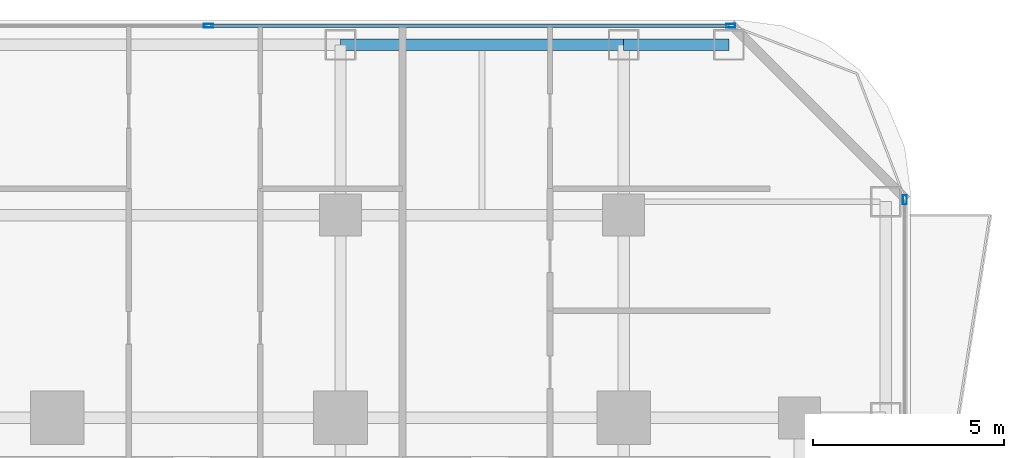
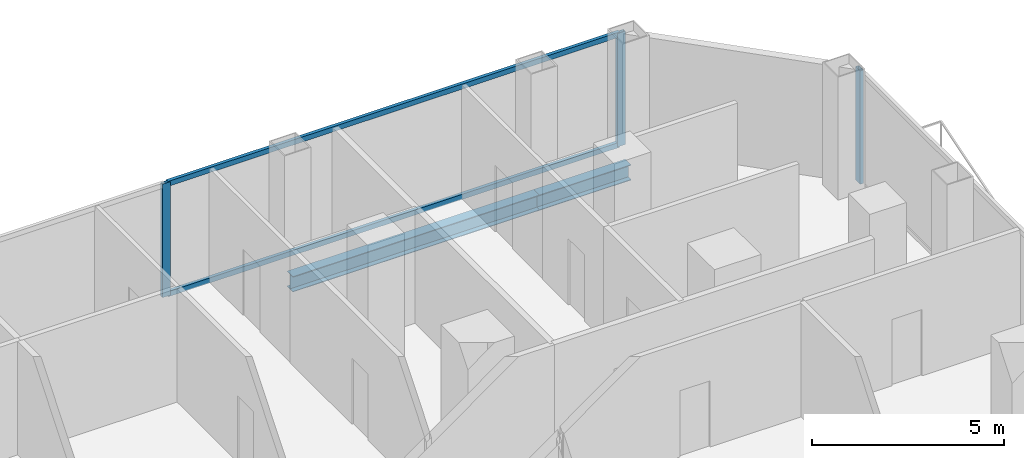
# One storey, part 17 of 29: 5 members, 2 beams, 2 elements without a shape of their own.
"""IFC4 building model written with IfcOpenShell, lengths in metres."""

from ifc_helpers import new_model, si_unit, direction, frame, origin, origin_2d, place, context, subcontext, project, spatial, hollow_rectangle, i_section, extrude, material, layer, layer_set, material_profile, profile_set, type_object, element, aggregate, save


model = new_model("IFC4")

# Units and contexts
model_context = context("Model", 3, precision=1e-05, world=origin(), true_north=direction((0.0, 1.0)))
body_context = subcontext(model_context, "Body", "Model", "MODEL_VIEW")
ifc_project = project(units=[si_unit("LENGTHUNIT", "METRE"), si_unit("AREAUNIT", "SQUARE_METRE"), si_unit("VOLUMEUNIT", "CUBIC_METRE"), si_unit("PLANEANGLEUNIT", "RADIAN"), si_unit("MASSUNIT", "GRAM", prefix="KILO")], contexts=[model_context])

# Site, building, storey
site_placement = place(None, origin())
site = spatial("IfcSite", under=ifc_project, at=site_placement, CompositionType="ELEMENT")
building_placement = place(site_placement, origin())
building = spatial("IfcBuilding", under=site, at=building_placement, Name="Khorvyn Point Tower", CompositionType="ELEMENT")
storey_placement = place(building_placement, frame((0.0, 0.0, 73.5)))
storey = spatial("IfcBuildingStorey", under=building, at=storey_placement, Name="L19", CompositionType="ELEMENT", Elevation=73.5)

# Curtain wall, members
ifc_material_1 = material(Name="Anodised aluminium 6063-T6 and laminated Low-E glass", Category="aluminium")
ifc_layer = layer(ifc_material_1, 0.18994140625)
ifc_layer_set = layer_set([ifc_layer], Name="Stick-Built Finned Residential Curtain Wall CW-SYS-02")
curtain_wall_type = type_object("IfcCurtainWallType", Name="Stick-Built Finned Residential Curtain Wall CW-SYS-02", PredefinedType="NOTDEFINED", material=ifc_layer_set)
curtain_wall_1_placement = place(storey_placement, origin())
curtain_wall_1 = element("IfcCurtainWall", 1, at=curtain_wall_1_placement, inside=storey, type_object=curtain_wall_type, Name="Curtain Wall", PredefinedType="NOTDEFINED")
ifc_material_2 = material(Name="Anodised aluminium 6063-T6", Category="aluminium")
ifc_material_profile_1 = material_profile(ifc_material_2, hollow_rectangle(XDim=0.10009765625, YDim=0.239990234375, WallThickness=0.0048828125, at=origin_2d()))
ifc_profile_set_1 = profile_set([ifc_material_profile_1], Name="Anodised aluminium 6063-T6 ALU-MUL-100x240")
member_type_1 = type_object("IfcMemberType", Name="Anodised Aluminium 6063-T6 Mullion ALU-MUL-100x240", PredefinedType="MULLION", material=ifc_profile_set_1)
member_1_placement = place(storey_placement, frame((3.949951171875, 25.050048828125, 0.0), z_axis=(0.0, 0.0, 1.0), x_axis=(0.0, 1.0, 0.0)))
member_1 = element("IfcMember", 2, at=member_1_placement, type_object=member_type_1, Name="Transom", PredefinedType="MULLION", context=body_context, shape_type="SweptSolid", body=[
    extrude(hollow_rectangle(XDim=0.10009765625, YDim=0.239990234375, WallThickness=0.0048828125, at=origin_2d()), origin(), (0.0, 0.0, 1.0), 3.60009765625),
])
member_2_placement = place(storey_placement, frame((17.60009765625, 25.050048828125, 0.0), z_axis=(0.0, 0.0, 1.0), x_axis=(0.0, 1.0, 0.0)))
member_2 = element("IfcMember", 3, at=member_2_placement, type_object=member_type_1, Name="Transom", PredefinedType="MULLION", context=body_context, shape_type="SweptSolid", body=[
    extrude(hollow_rectangle(XDim=0.10009765625, YDim=0.239990234375, WallThickness=0.0048828125, at=origin_2d()), origin(), (0.0, 0.0, 1.0), 3.60009765625),
])

# Curtain wall, member
curtain_wall_2_placement = place(storey_placement, origin())
curtain_wall_2 = element("IfcCurtainWall", 4, at=curtain_wall_2_placement, inside=storey, type_object=curtain_wall_type, Name="Curtain Wall", PredefinedType="NOTDEFINED")
member_3_placement = place(storey_placement, frame((22.14990234375, 20.5, 0.0), z_axis=(0.0, 0.0, 1.0), x_axis=(1.0, 0.0, 0.0)))
member_3 = element("IfcMember", 5, at=member_3_placement, type_object=member_type_1, Name="Transom", PredefinedType="MULLION", context=body_context, shape_type="SweptSolid", body=[
    extrude(hollow_rectangle(XDim=0.10009765625, YDim=0.239990234375, WallThickness=0.0048828125, at=origin_2d()), origin(), (0.0, 0.0, 1.0), 3.60009765625),
])
aggregate(curtain_wall_2, [member_3])

# Member
ifc_material_profile_2 = material_profile(ifc_material_2, hollow_rectangle(XDim=0.10009765625, YDim=0.159912109375, WallThickness=0.00439453125, at=origin_2d()))
ifc_profile_set_2 = profile_set([ifc_material_profile_2], Name="Anodised aluminium 6063-T6 ALU-TRN-100x160")
member_type_2 = type_object("IfcMemberType", Name="Anodised Aluminium 6063-T6 Transom ALU-TRN-100x160", PredefinedType="USERDEFINED", material=ifc_profile_set_2)
member_4_placement = place(storey_placement, frame((4.0, 25.050048828125, 0.050048828125), z_axis=(1.0, 0.0, 0.0), x_axis=(0.0, 1.0, 0.0)))
member_4 = element("IfcMember", 6, at=member_4_placement, type_object=member_type_2, Name="Transom", ObjectType="TRANSOM", PredefinedType="USERDEFINED", context=body_context, shape_type="SweptSolid", body=[
    extrude(hollow_rectangle(XDim=0.10009765625, YDim=0.159912109375, WallThickness=0.00439453125, at=origin_2d()), origin(), (0.0, 0.0, 1.0), 13.550048828125),
])

member_5_placement = place(storey_placement, frame((4.0, 25.050048828125, 3.550048828125), z_axis=(1.0, 0.0, 0.0), x_axis=(0.0, 1.0, 0.0)))
member_5 = element("IfcMember", 7, at=member_5_placement, type_object=member_type_2, Name="Transom", ObjectType="TRANSOM", PredefinedType="USERDEFINED", context=body_context, shape_type="SweptSolid", body=[
    extrude(hollow_rectangle(XDim=0.10009765625, YDim=0.159912109375, WallThickness=0.00439453125, at=origin_2d()), origin(), (0.0, 0.0, 1.0), 13.550048828125),
])

aggregate(curtain_wall_1, [member_1, member_2, member_4, member_5])

# Beams
ifc_material_3 = material(Name="Steel S355", Category="steel")
ifc_material_profile_3 = material_profile(ifc_material_3, i_section(OverallWidth=0.300048828125, OverallDepth=0.488037109375, WebThickness=0.010986328125, FlangeThickness=0.01806640625, at=origin_2d()))
ifc_profile_set_3 = profile_set([ifc_material_profile_3], Name="Steel S355 H488x300x11x18")
beam_type = type_object("IfcBeamType", Name="Steel S355 Spandrel H488x300x11x18", PredefinedType="SPANDREL", material=ifc_profile_set_3)
beam_1_placement = place(storey_placement, frame((7.39990234375, 24.550048828125, -0.464111328125), z_axis=(1.0, 0.0, 0.0), x_axis=(0.0, 1.0, 0.0)))
element("IfcBeam", 8, at=beam_1_placement, inside=storey, type_object=beam_type, Name="Beam", PredefinedType="SPANDREL", context=body_context, shape_type="SweptSolid", body=[
    extrude(i_section(OverallWidth=0.300048828125, OverallDepth=0.488037109375, WebThickness=0.010986328125, FlangeThickness=0.01806640625, at=origin_2d()), origin(), (0.0, 0.0, 1.0), 7.400146484375),
])
beam_2_placement = place(storey_placement, frame((14.800048828125, 24.550048828125, -0.464111328125), z_axis=(1.0, 0.0, 0.0), x_axis=(0.0, 1.0, 0.0)))
element("IfcBeam", 9, at=beam_2_placement, inside=storey, type_object=beam_type, Name="Beam", PredefinedType="SPANDREL", context=body_context, shape_type="SweptSolid", body=[
    extrude(i_section(OverallWidth=0.300048828125, OverallDepth=0.488037109375, WebThickness=0.010986328125, FlangeThickness=0.01806640625, at=origin_2d()), origin(), (0.0, 0.0, 1.0), 2.75),
])

save(model, "model.ifc")
